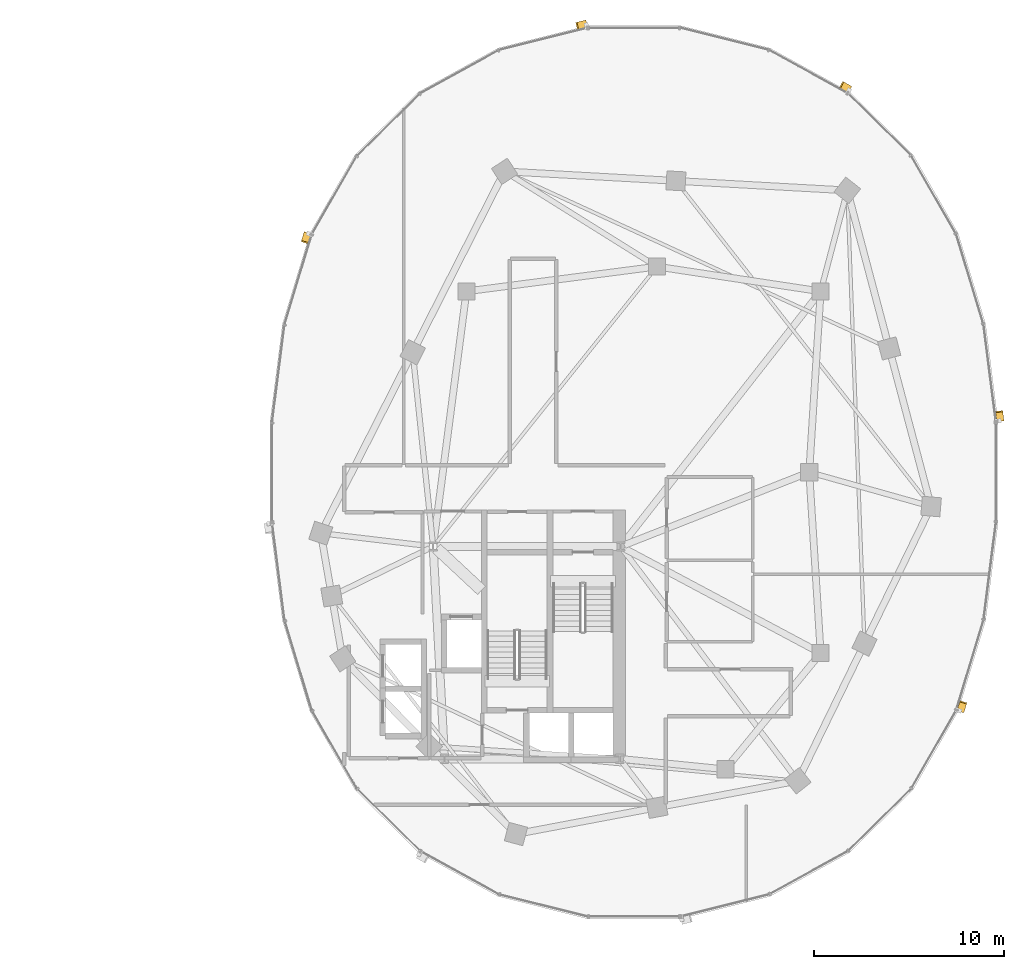
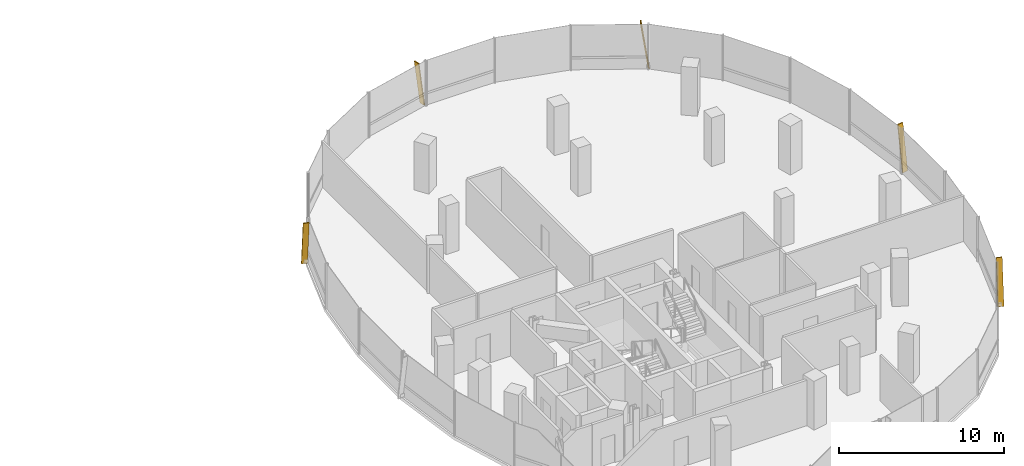
# One storey, part 22 of 22: 5 shading devices.
"""IFC4 building model written with IfcOpenShell, lengths in metres."""

from ifc_helpers import new_model, si_unit, direction, frame, origin, origin_2d, place, context, subcontext, project, spatial, rectangle, extrude, material, material_profile, profile_set, type_object, element, save


model = new_model("IFC4")

# Units and contexts
model_context = context("Model", 3, precision=1e-05, world=origin(), true_north=direction((0.0, 1.0)))
body_context = subcontext(model_context, "Body", "Model", "MODEL_VIEW")
ifc_project = project(units=[si_unit("LENGTHUNIT", "METRE"), si_unit("AREAUNIT", "SQUARE_METRE"), si_unit("VOLUMEUNIT", "CUBIC_METRE"), si_unit("PLANEANGLEUNIT", "RADIAN"), si_unit("MASSUNIT", "GRAM", prefix="KILO"), si_unit("THERMODYNAMICTEMPERATUREUNIT", "KELVIN"), si_unit("POWERUNIT", "WATT")], contexts=[model_context])

# Site, building, storey
site_placement = place(None, origin())
site = spatial("IfcSite", under=ifc_project, at=site_placement, CompositionType="ELEMENT")
building_placement = place(site_placement, origin())
building = spatial("IfcBuilding", under=site, at=building_placement, Name="Cundina Bronze Exchange", CompositionType="ELEMENT")
storey_placement = place(building_placement, frame((0.0, 0.0, 140.39990234375)))
storey = spatial("IfcBuildingStorey", under=building, at=storey_placement, Name="L36", CompositionType="ELEMENT", Elevation=140.39990234375)

# Shading devices
ifc_material = material(Name="Anodised Bronze Aluminium 6063-T6", Category="aluminium")
ifc_material_profile = material_profile(ifc_material, rectangle(XDim=0.070068359375, YDim=0.3798828125, at=origin_2d()), Name="FIN70X380", Category="aluminium")
ifc_profile_set = profile_set([ifc_material_profile], Name="Anodised Bronze Aluminium 6063-T6")
shading_device_type = type_object("IfcShadingDeviceType", Name="SHD-FIN-BRZ380", PredefinedType="USERDEFINED", material=ifc_profile_set)
for number, where, z_axis, x_axis, name in (
    (1, (51.23486328125, 2.705810546875, 0.02001953125), (-0.018121805099, 0.141917750773, 0.989712560391), (0.125360789044, -0.981741119016, 0.143070080046), "L36 Diagonal Bronze Solar Fin 1"),
    (2, (43.320068359375, 20.11181640625, 0.02001953125), (-0.125324460949, 0.068993954111, 0.989713905017), (0.867011652888, -0.477309551067, 0.143060778049), "L36 Diagonal Bronze Solar Fin 5"),
    (3, (29.48046875, 23.556396484375, 0.02001953125), (-0.138788401144, -0.034715294885, 0.989713407007), (0.960133415413, 0.240159223467, 0.14306422331), "L36 Diagonal Bronze Solar Fin 1"),
    (4, (14.848876953125, 12.5439453125, 0.02001953125), (-0.041483395017, -0.136967981441, 0.989706471636), (0.286882504107, 0.947215566191, 0.143112193758), "L36 Diagonal Bronze Solar Fin 5"),
    (5, (49.151123046875, -12.5439453125, 0.02001953125), (0.041483395017, 0.136967981441, 0.989706471636), (-0.286882504107, -0.947215566191, 0.143112193758), "L36 Diagonal Bronze Solar Fin 5"),
):
    element("IfcShadingDevice", number, at=place(storey_placement, frame(where, z_axis=z_axis, x_axis=x_axis)), inside=storey, type_object=shading_device_type, Name=name, ObjectType="FIN", PredefinedType="USERDEFINED", context=body_context, shape_type="SweptSolid", body=[
        extrude(rectangle(XDim=0.070068359375, YDim=0.3798828125, at=origin_2d()), origin(), (0.0, 0.0, 1.0), 3.3544921875),
    ])

save(model, "model.ifc")
